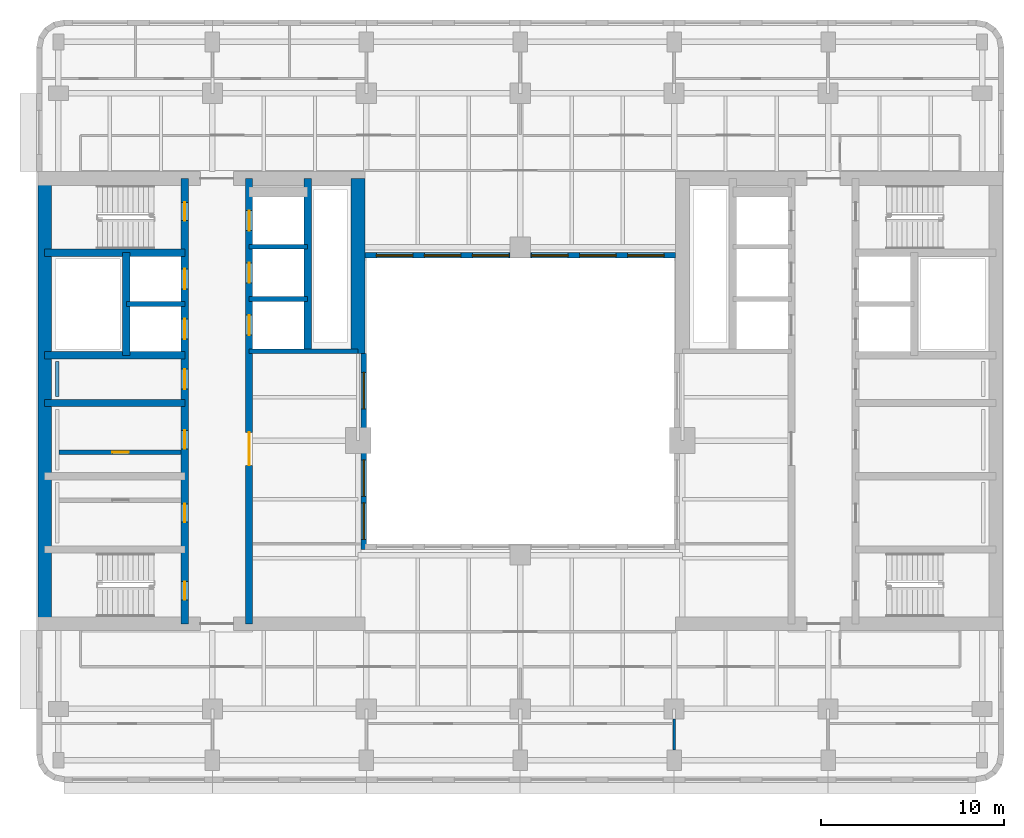
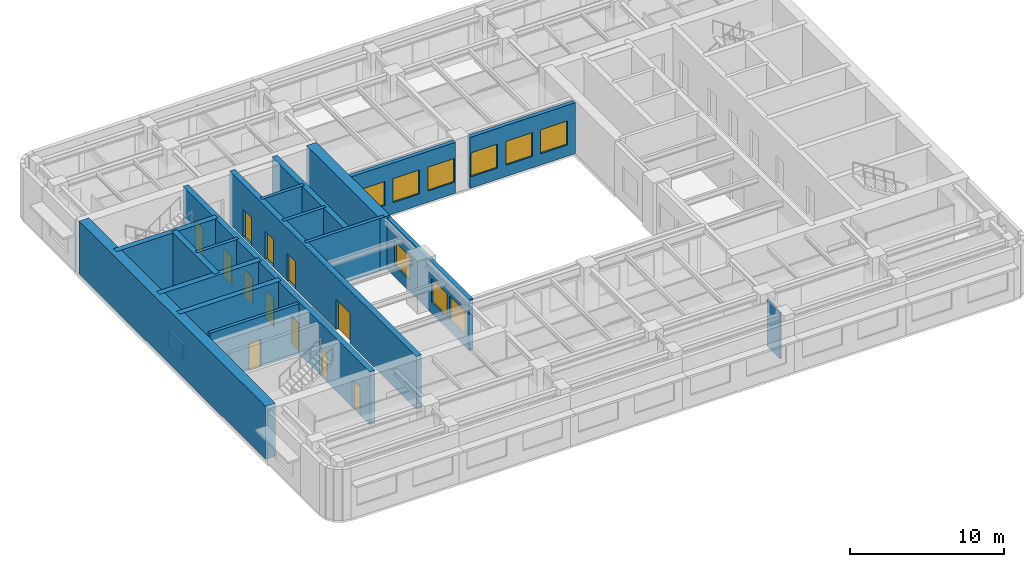
# One storey, part 4 of 11: 19 walls, 12 doors, 9 windows, 21 openings.
"""IFC4 building model written with IfcOpenShell, lengths in metres."""

from ifc_helpers import new_model, si_unit, direction, frame, frame_2d, origin, place, context, subcontext, project, spatial, rectangle, extrude, material, layer, layer_set, type_object, element, fill, save


model = new_model("IFC4")

# Units and contexts
model_context = context("Model", 3, precision=1e-05, world=origin(), true_north=direction((0.0, 1.0)))
body_context = subcontext(model_context, "Body", "Model", "MODEL_VIEW")
ifc_project = project(units=[si_unit("LENGTHUNIT", "METRE"), si_unit("AREAUNIT", "SQUARE_METRE"), si_unit("VOLUMEUNIT", "CUBIC_METRE"), si_unit("PLANEANGLEUNIT", "RADIAN"), si_unit("MASSUNIT", "GRAM", prefix="KILO")], contexts=[model_context])

# Site, building, storey
site_placement = place(None, origin())
site = spatial("IfcSite", under=ifc_project, at=site_placement, CompositionType="ELEMENT")
building_placement = place(site_placement, origin())
building = spatial("IfcBuilding", under=site, at=building_placement, Name="Claustro Exchange Tower", CompositionType="ELEMENT")
storey_placement = place(building_placement, frame((0.0, 0.0, 190.199951171875)))
storey = spatial("IfcBuildingStorey", under=building, at=storey_placement, Name="L43", CompositionType="ELEMENT", Elevation=190.199951171875)

# Wall
ifc_material_1 = material(Name="Laminated glass in aluminium frame", Category="aluminium")
ifc_layer_1 = layer(ifc_material_1, 0.1201171875)
ifc_layer_set_1 = layer_set([ifc_layer_1], Name="Laminated glass in aluminium frame")
wall_type_1 = type_object("IfcWallType", Name="P2 120 glazed partition", PredefinedType="PARTITIONING", material=ifc_layer_set_1)
wall_1_placement = place(storey_placement, frame((33.60009765625, 6.14892578125, 0.0), z_axis=(0.0, 0.0, 1.0), x_axis=(0.0, 1.0, 0.0)))
element("IfcWall", 1, at=wall_1_placement, inside=storey, type_object=wall_type_1, Name="Partition P2 L43", PredefinedType="PARTITIONING", context=body_context, shape_type="SweptSolid", body=[
    extrude(rectangle(XDim=1.703125, YDim=0.1201171875, at=frame_2d((0.8515625, 0.0))), origin(), (0.0, 0.0, 1.0), 3.68994140625),
])

# Wall, opening, door
ifc_material_2 = material(Name="Concrete blockwork, rendered", Category="masonry")
ifc_layer_2 = layer(ifc_material_2, 0.25)
ifc_layer_set_2 = layer_set([ifc_layer_2], Name="Concrete blockwork, rendered")
wall_type_2 = type_object("IfcWallType", Name="P4 250 blockwork wall", PredefinedType="PARTITIONING", material=ifc_layer_set_2)
wall_2_placement = place(storey_placement, frame((0.02490234375, 22.39990234375, 0.0), z_axis=(0.0, 0.0, 1.0), x_axis=(1.0, 0.0, 0.0)))
wall_2 = element("IfcWall", 2, at=wall_2_placement, inside=storey, type_object=wall_type_2, Name="Partition P4 L43", PredefinedType="PARTITIONING", context=body_context, shape_type="SweptSolid", body=[
    extrude(rectangle(XDim=6.675048828125, YDim=0.25, at=frame_2d((3.33740234375, 0.0))), origin(), (0.0, 0.0, 1.0), 4.0),
])
opening_1_placement = place(wall_2_placement, frame((2.91259765625, 0.0, 0.0)))
opening_1 = element("IfcOpeningElement", 3, at=opening_1_placement, cuts=wall_2, Name="Opening D5", PredefinedType="OPENING", context=body_context, shape_type="SweptSolid", body=[
    extrude(rectangle(XDim=0.89990234375, YDim=2.199951171875, at=frame_2d((0.449951171875, 1.10009765625))), frame((0.0, 0.135009765625, 0.0), z_axis=(0.0, -1.0, 0.0), x_axis=(1.0, 0.0, 0.0)), (0.0, 0.0, 1.0), 0.27001953125),
])
ifc_material_3 = material(Name="Steel door, painted", Category="steel")
door_type_1 = type_object("IfcDoorType", Name="D5 900 x 2200 store door", OperationType="SINGLE_SWING_LEFT", PredefinedType="DOOR", material=ifc_material_3)
door_1_placement = place(opening_1_placement, frame((0.89990234375, 0.0, 0.0), z_axis=(0.0, 0.0, 1.0), x_axis=(-1.0, 0.0, 0.0)))
door_1 = element("IfcDoor", 4, at=door_1_placement, inside=storey, type_object=door_type_1, Name="Store door D5 L43", OperationType="SINGLE_SWING_LEFT", OverallHeight=2.199951171875, OverallWidth=0.89990234375, PredefinedType="DOOR", context=body_context, shape_type="SweptSolid", body=[
    extrude(rectangle(XDim=0.89990234375, YDim=2.199951171875, at=frame_2d((0.449951171875, 1.10009765625))), frame((0.0, 0.02490234375, 0.0), z_axis=(0.0, -1.0, 0.0), x_axis=(1.0, 0.0, 0.0)), (0.0, 0.0, 1.0), 0.050048828125),
])
fill(opening_1, door_1)

# Wall, openings, windows
ifc_material_4 = material(Name="Concrete HA-40 (C40/50), precast, white cement, acid-etched", Category="concrete")
ifc_layer_3 = layer(ifc_material_4, 0.300048828125)
ifc_layer_set_3 = layer_set([ifc_layer_3], Name="Concrete HA-40 (C40/50), precast, white cement, acid-etched")
wall_type_3 = type_object("IfcWallType", Name="PC1 300 precast concrete pier panel", PredefinedType="SOLIDWALL", material=ifc_layer_set_3)
wall_3_placement = place(storey_placement, frame((16.64990234375, 17.10009765625, 0.0), z_axis=(0.0, 0.0, 1.0), x_axis=(0.0, 1.0, 0.0)))
wall_3 = element("IfcWall", 5, at=wall_3_placement, inside=storey, type_object=wall_type_3, Name="Precast pier panel PC1 L43", PredefinedType="SOLIDWALL", context=body_context, shape_type="SweptSolid", body=[
    extrude(rectangle(XDim=10.699951171875, YDim=0.300048828125, at=frame_2d((5.35009765625, 0.0))), origin(), (0.0, 0.0, 1.0), 4.050048828125),
])
opening_2_placement = place(wall_3_placement, frame((0.550048828125, 0.0, 0.89990234375)))
opening_2 = element("IfcOpeningElement", 6, at=opening_2_placement, cuts=wall_3, Name="Opening W4", PredefinedType="OPENING", context=body_context, shape_type="SweptSolid", body=[
    extrude(rectangle(XDim=2.0, YDim=1.89990234375, at=frame_2d((1.0, 0.949951171875))), frame((0.0, 0.159912109375, 0.0), z_axis=(0.0, -1.0, 0.0), x_axis=(1.0, 0.0, 0.0)), (0.0, 0.0, 1.0), 0.320068359375),
])
opening_3_placement = place(wall_3_placement, frame((2.89990234375, 0.0, 0.89990234375)))
opening_3 = element("IfcOpeningElement", 7, at=opening_3_placement, cuts=wall_3, Name="Opening W4", PredefinedType="OPENING", context=body_context, shape_type="SweptSolid", body=[
    extrude(rectangle(XDim=2.0, YDim=1.89990234375, at=frame_2d((1.0, 0.949951171875))), frame((0.0, 0.159912109375, 0.0), z_axis=(0.0, -1.0, 0.0), x_axis=(1.0, 0.0, 0.0)), (0.0, 0.0, 1.0), 0.320068359375),
])
opening_4_placement = place(wall_3_placement, frame((7.675048828125, 0.0, 0.89990234375)))
opening_4 = element("IfcOpeningElement", 8, at=opening_4_placement, cuts=wall_3, Name="Opening W4", PredefinedType="OPENING", context=body_context, shape_type="SweptSolid", body=[
    extrude(rectangle(XDim=2.0, YDim=1.89990234375, at=frame_2d((1.0, 0.949951171875))), frame((0.0, 0.159912109375, 0.0), z_axis=(0.0, -1.0, 0.0), x_axis=(1.0, 0.0, 0.0)), (0.0, 0.0, 1.0), 0.320068359375),
])
ifc_material_5 = material(Name="Aluminium frame, clear double glazing", Category="aluminium")
window_type = type_object("IfcWindowType", Name="W4 2000 x 1900 light well window", PartitioningType="SINGLE_PANEL", PredefinedType="WINDOW", material=ifc_material_5)
window_1_placement = place(opening_2_placement, origin())
window_1 = element("IfcWindow", 9, at=window_1_placement, inside=storey, type_object=window_type, Name="Window W4 L43", OverallHeight=1.89990234375, OverallWidth=2.0, PartitioningType="SINGLE_PANEL", PredefinedType="WINDOW", context=body_context, shape_type="SweptSolid", body=[
    extrude(rectangle(XDim=2.0, YDim=1.89990234375, at=frame_2d((1.0, 0.949951171875))), frame((0.0, 0.030029296875, 0.0), z_axis=(0.0, -1.0, 0.0), x_axis=(1.0, 0.0, 0.0)), (0.0, 0.0, 1.0), 0.06005859375),
])
fill(opening_2, window_1)
window_2_placement = place(opening_3_placement, origin())
window_2 = element("IfcWindow", 10, at=window_2_placement, inside=storey, type_object=window_type, Name="Window W4 L43", OverallHeight=1.89990234375, OverallWidth=2.0, PartitioningType="SINGLE_PANEL", PredefinedType="WINDOW", context=body_context, shape_type="SweptSolid", body=[
    extrude(rectangle(XDim=2.0, YDim=1.89990234375, at=frame_2d((1.0, 0.949951171875))), frame((0.0, 0.030029296875, 0.0), z_axis=(0.0, -1.0, 0.0), x_axis=(1.0, 0.0, 0.0)), (0.0, 0.0, 1.0), 0.06005859375),
])
fill(opening_3, window_2)
window_3_placement = place(opening_4_placement, origin())
window_3 = element("IfcWindow", 11, at=window_3_placement, inside=storey, type_object=window_type, Name="Window W4 L43", OverallHeight=1.89990234375, OverallWidth=2.0, PartitioningType="SINGLE_PANEL", PredefinedType="WINDOW", context=body_context, shape_type="SweptSolid", body=[
    extrude(rectangle(XDim=2.0, YDim=1.89990234375, at=frame_2d((1.0, 0.949951171875))), frame((0.0, 0.030029296875, 0.0), z_axis=(0.0, -1.0, 0.0), x_axis=(1.0, 0.0, 0.0)), (0.0, 0.0, 1.0), 0.06005859375),
])
fill(opening_4, window_3)

wall_4_placement = place(storey_placement, frame((16.72509765625, 33.14990234375, 0.0), z_axis=(0.0, 0.0, 1.0), x_axis=(1.0, 0.0, 0.0)))
wall_4 = element("IfcWall", 12, at=wall_4_placement, inside=storey, type_object=wall_type_3, Name="Precast pier panel PC1 L43", PredefinedType="SOLIDWALL", context=body_context, shape_type="SweptSolid", body=[
    extrude(rectangle(XDim=7.9248046875, YDim=0.300048828125, at=frame_2d((3.96240234375, 0.0))), origin(), (0.0, 0.0, 1.0), 4.050048828125),
])
opening_5_placement = place(wall_4_placement, frame((0.61865234375, 0.0, 0.89990234375)))
opening_5 = element("IfcOpeningElement", 13, at=opening_5_placement, cuts=wall_4, Name="Opening W4", PredefinedType="OPENING", context=body_context, shape_type="SweptSolid", body=[
    extrude(rectangle(XDim=2.0, YDim=1.89990234375, at=frame_2d((1.0, 0.949951171875))), frame((0.0, 0.159912109375, 0.0), z_axis=(0.0, -1.0, 0.0), x_axis=(1.0, 0.0, 0.0)), (0.0, 0.0, 1.0), 0.320068359375),
])
opening_6_placement = place(wall_4_placement, frame((3.237548828125, 0.0, 0.89990234375)))
opening_6 = element("IfcOpeningElement", 14, at=opening_6_placement, cuts=wall_4, Name="Opening W4", PredefinedType="OPENING", context=body_context, shape_type="SweptSolid", body=[
    extrude(rectangle(XDim=2.0, YDim=1.89990234375, at=frame_2d((1.0, 0.949951171875))), frame((0.0, 0.159912109375, 0.0), z_axis=(0.0, -1.0, 0.0), x_axis=(1.0, 0.0, 0.0)), (0.0, 0.0, 1.0), 0.320068359375),
])
opening_7_placement = place(wall_4_placement, frame((5.856201171875, 0.0, 0.89990234375)))
opening_7 = element("IfcOpeningElement", 15, at=opening_7_placement, cuts=wall_4, Name="Opening W4", PredefinedType="OPENING", context=body_context, shape_type="SweptSolid", body=[
    extrude(rectangle(XDim=2.0, YDim=1.89990234375, at=frame_2d((1.0, 0.949951171875))), frame((0.0, 0.159912109375, 0.0), z_axis=(0.0, -1.0, 0.0), x_axis=(1.0, 0.0, 0.0)), (0.0, 0.0, 1.0), 0.320068359375),
])
window_4_placement = place(opening_5_placement, origin())
window_4 = element("IfcWindow", 16, at=window_4_placement, inside=storey, type_object=window_type, Name="Window W4 L43", OverallHeight=1.89990234375, OverallWidth=2.0, PartitioningType="SINGLE_PANEL", PredefinedType="WINDOW", context=body_context, shape_type="SweptSolid", body=[
    extrude(rectangle(XDim=2.0, YDim=1.89990234375, at=frame_2d((1.0, 0.949951171875))), frame((0.0, 0.030029296875, 0.0), z_axis=(0.0, -1.0, 0.0), x_axis=(1.0, 0.0, 0.0)), (0.0, 0.0, 1.0), 0.06005859375),
])
fill(opening_5, window_4)
window_5_placement = place(opening_6_placement, origin())
window_5 = element("IfcWindow", 17, at=window_5_placement, inside=storey, type_object=window_type, Name="Window W4 L43", OverallHeight=1.89990234375, OverallWidth=2.0, PartitioningType="SINGLE_PANEL", PredefinedType="WINDOW", context=body_context, shape_type="SweptSolid", body=[
    extrude(rectangle(XDim=2.0, YDim=1.89990234375, at=frame_2d((1.0, 0.949951171875))), frame((0.0, 0.030029296875, 0.0), z_axis=(0.0, -1.0, 0.0), x_axis=(1.0, 0.0, 0.0)), (0.0, 0.0, 1.0), 0.06005859375),
])
fill(opening_6, window_5)
window_6_placement = place(opening_7_placement, origin())
window_6 = element("IfcWindow", 18, at=window_6_placement, inside=storey, type_object=window_type, Name="Window W4 L43", OverallHeight=1.89990234375, OverallWidth=2.0, PartitioningType="SINGLE_PANEL", PredefinedType="WINDOW", context=body_context, shape_type="SweptSolid", body=[
    extrude(rectangle(XDim=2.0, YDim=1.89990234375, at=frame_2d((1.0, 0.949951171875))), frame((0.0, 0.030029296875, 0.0), z_axis=(0.0, -1.0, 0.0), x_axis=(1.0, 0.0, 0.0)), (0.0, 0.0, 1.0), 0.06005859375),
])
fill(opening_7, window_6)

wall_5_placement = place(storey_placement, frame((25.75, 33.14990234375, 0.0), z_axis=(0.0, 0.0, 1.0), x_axis=(1.0, 0.0, 0.0)))
wall_5 = element("IfcWall", 19, at=wall_5_placement, inside=storey, type_object=wall_type_3, Name="Precast pier panel PC1 L43", PredefinedType="SOLIDWALL", context=body_context, shape_type="SweptSolid", body=[
    extrude(rectangle(XDim=7.925048828125, YDim=0.300048828125, at=frame_2d((3.96240234375, 0.0))), origin(), (0.0, 0.0, 1.0), 4.050048828125),
])
opening_8_placement = place(wall_5_placement, frame((0.068603515625, 0.0, 0.89990234375)))
opening_8 = element("IfcOpeningElement", 20, at=opening_8_placement, cuts=wall_5, Name="Opening W4", PredefinedType="OPENING", context=body_context, shape_type="SweptSolid", body=[
    extrude(rectangle(XDim=2.0, YDim=1.89990234375, at=frame_2d((1.0, 0.949951171875))), frame((0.0, 0.159912109375, 0.0), z_axis=(0.0, -1.0, 0.0), x_axis=(1.0, 0.0, 0.0)), (0.0, 0.0, 1.0), 0.320068359375),
])
opening_9_placement = place(wall_5_placement, frame((2.6875, 0.0, 0.89990234375)))
opening_9 = element("IfcOpeningElement", 21, at=opening_9_placement, cuts=wall_5, Name="Opening W4", PredefinedType="OPENING", context=body_context, shape_type="SweptSolid", body=[
    extrude(rectangle(XDim=2.0, YDim=1.89990234375, at=frame_2d((1.0, 0.949951171875))), frame((0.0, 0.159912109375, 0.0), z_axis=(0.0, -1.0, 0.0), x_axis=(1.0, 0.0, 0.0)), (0.0, 0.0, 1.0), 0.320068359375),
])
opening_10_placement = place(wall_5_placement, frame((5.30615234375, 0.0, 0.89990234375)))
opening_10 = element("IfcOpeningElement", 22, at=opening_10_placement, cuts=wall_5, Name="Opening W4", PredefinedType="OPENING", context=body_context, shape_type="SweptSolid", body=[
    extrude(rectangle(XDim=2.0, YDim=1.89990234375, at=frame_2d((1.0, 0.949951171875))), frame((0.0, 0.159912109375, 0.0), z_axis=(0.0, -1.0, 0.0), x_axis=(1.0, 0.0, 0.0)), (0.0, 0.0, 1.0), 0.320068359375),
])
window_7_placement = place(opening_8_placement, origin())
window_7 = element("IfcWindow", 23, at=window_7_placement, inside=storey, type_object=window_type, Name="Window W4 L43", OverallHeight=1.89990234375, OverallWidth=2.0, PartitioningType="SINGLE_PANEL", PredefinedType="WINDOW", context=body_context, shape_type="SweptSolid", body=[
    extrude(rectangle(XDim=2.0, YDim=1.89990234375, at=frame_2d((1.0, 0.949951171875))), frame((0.0, 0.030029296875, 0.0), z_axis=(0.0, -1.0, 0.0), x_axis=(1.0, 0.0, 0.0)), (0.0, 0.0, 1.0), 0.06005859375),
])
fill(opening_8, window_7)
window_8_placement = place(opening_9_placement, origin())
window_8 = element("IfcWindow", 24, at=window_8_placement, inside=storey, type_object=window_type, Name="Window W4 L43", OverallHeight=1.89990234375, OverallWidth=2.0, PartitioningType="SINGLE_PANEL", PredefinedType="WINDOW", context=body_context, shape_type="SweptSolid", body=[
    extrude(rectangle(XDim=2.0, YDim=1.89990234375, at=frame_2d((1.0, 0.949951171875))), frame((0.0, 0.030029296875, 0.0), z_axis=(0.0, -1.0, 0.0), x_axis=(1.0, 0.0, 0.0)), (0.0, 0.0, 1.0), 0.06005859375),
])
fill(opening_9, window_8)
window_9_placement = place(opening_10_placement, origin())
window_9 = element("IfcWindow", 25, at=window_9_placement, inside=storey, type_object=window_type, Name="Window W4 L43", OverallHeight=1.89990234375, OverallWidth=2.0, PartitioningType="SINGLE_PANEL", PredefinedType="WINDOW", context=body_context, shape_type="SweptSolid", body=[
    extrude(rectangle(XDim=2.0, YDim=1.89990234375, at=frame_2d((1.0, 0.949951171875))), frame((0.0, 0.030029296875, 0.0), z_axis=(0.0, -1.0, 0.0), x_axis=(1.0, 0.0, 0.0)), (0.0, 0.0, 1.0), 0.06005859375),
])
fill(opening_10, window_9)

# Walls
ifc_material_6 = material(Name="Gypsum board on steel studs, tiled", Category="steel")
ifc_layer_4 = layer(ifc_material_6, 0.199951171875)
ifc_layer_set_4 = layer_set([ifc_layer_4], Name="Gypsum board on steel studs, tiled")
wall_type_4 = type_object("IfcWallType", Name="PW1 200 WC duct wall", PredefinedType="PLUMBINGWALL", material=ifc_layer_set_4)
wall_6_placement = place(storey_placement, frame((-0.074951171875, 25.449951171875, 0.0), z_axis=(0.0, 0.0, 1.0), x_axis=(0.0, 1.0, 0.0)))
element("IfcWall", 26, at=wall_6_placement, inside=storey, type_object=wall_type_4, Name="WC duct wall PW1 L43", PredefinedType="PLUMBINGWALL", context=body_context, shape_type="SweptSolid", body=[
    extrude(rectangle(XDim=1.900146484375, YDim=0.199951171875, at=frame_2d((0.9501953125, 0.0))), origin(), (0.0, 0.0, 1.0), 1.199951171875),
])
ifc_material_7 = material(Name="Concrete HA-70 (C70/85)", Category="concrete")
ifc_layer_5 = layer(ifc_material_7, 0.75)
ifc_layer_set_5 = layer_set([ifc_layer_5], Name="Concrete HA-70 (C70/85)")
wall_type_5 = type_object("IfcWallType", Name="SW2X 750 exposed core shear wall, board-marked face", PredefinedType="SHEAR", material=ifc_layer_set_5)
wall_7_placement = place(storey_placement, frame((-0.75, 13.050048828125, 0.0), z_axis=(0.0, 0.0, 1.0), x_axis=(0.0, 1.0, 0.0)))
element("IfcWall", 27, at=wall_7_placement, inside=storey, type_object=wall_type_5, Name="Core wall SW2X W core W face L43", PredefinedType="SHEAR", context=body_context, shape_type="SweptSolid", body=[
    extrude(rectangle(XDim=24.300048828125, YDim=0.75, at=frame_2d((12.14990234375, 0.0))), origin(), (0.0, 0.0, 1.0), 4.199951171875),
])
wall_8_placement = place(storey_placement, frame((16.35009765625, 27.800048828125, 0.0), z_axis=(0.0, 0.0, 1.0), x_axis=(0.0, 1.0, 0.0)))
element("IfcWall", 28, at=wall_8_placement, inside=storey, type_object=wall_type_5, Name="Core wall SW2X W core E face L43", PredefinedType="SHEAR", context=body_context, shape_type="SweptSolid", body=[
    extrude(rectangle(XDim=9.550048828125, YDim=0.75, at=frame_2d((4.77490234375, 0.0))), origin(), (0.0, 0.0, 1.0), 4.199951171875),
])

# Wall, openings, doors
ifc_material_8 = material(Name="Concrete HA-50 (C50/60)", Category="concrete")
ifc_layer_6 = layer(ifc_material_8, 0.39990234375)
ifc_layer_set_6 = layer_set([ifc_layer_6], Name="Concrete HA-50 (C50/60)")
wall_type_6 = type_object("IfcWallType", Name="SW4 400 internal core wall", PredefinedType="SHEAR", material=ifc_layer_set_6)
wall_9_placement = place(storey_placement, frame((6.89990234375, 13.050048828125, 0.0), z_axis=(0.0, 0.0, 1.0), x_axis=(0.0, 1.0, 0.0)))
wall_9 = element("IfcWall", 29, at=wall_9_placement, inside=storey, type_object=wall_type_6, Name="Internal core wall SW4 W core L43", PredefinedType="SHEAR", context=body_context, shape_type="SweptSolid", body=[
    extrude(rectangle(XDim=24.300048828125, YDim=0.39990234375, at=frame_2d((12.14990234375, 0.0))), origin(), (0.0, 0.0, 1.0), 4.199951171875),
])
opening_11_placement = place(wall_9_placement, frame((1.300048828125, 0.0, 0.0)))
opening_11 = element("IfcOpeningElement", 30, at=opening_11_placement, cuts=wall_9, Name="Opening D4", PredefinedType="OPENING", context=body_context, shape_type="SweptSolid", body=[
    extrude(rectangle(XDim=1.0, YDim=2.199951171875, at=frame_2d((0.5, 1.10009765625))), frame((0.0, 0.2099609375, 0.0), z_axis=(0.0, -1.0, 0.0), x_axis=(1.0, 0.0, 0.0)), (0.0, 0.0, 1.0), 0.419921875),
])
opening_12_placement = place(wall_9_placement, frame((22.0, 0.0, 0.0)))
opening_12 = element("IfcOpeningElement", 31, at=opening_12_placement, cuts=wall_9, Name="Opening D4", PredefinedType="OPENING", context=body_context, shape_type="SweptSolid", body=[
    extrude(rectangle(XDim=1.0, YDim=2.199951171875, at=frame_2d((0.5, 1.10009765625))), frame((0.0, 0.2099609375, 0.0), z_axis=(0.0, -1.0, 0.0), x_axis=(1.0, 0.0, 0.0)), (0.0, 0.0, 1.0), 0.419921875),
])
opening_13_placement = place(wall_9_placement, frame((5.550048828125, 0.0, 0.0)))
opening_13 = element("IfcOpeningElement", 32, at=opening_13_placement, cuts=wall_9, Name="Opening D1", PredefinedType="OPENING", context=body_context, shape_type="SweptSolid", body=[
    extrude(rectangle(XDim=1.0, YDim=2.199951171875, at=frame_2d((0.5, 1.10009765625))), frame((0.0, 0.2099609375, 0.0), z_axis=(0.0, -1.0, 0.0), x_axis=(1.0, 0.0, 0.0)), (0.0, 0.0, 1.0), 0.419921875),
])
opening_14_placement = place(wall_9_placement, frame((9.550048828125, 0.0, 0.0)))
opening_14 = element("IfcOpeningElement", 33, at=opening_14_placement, cuts=wall_9, Name="Opening D1", PredefinedType="OPENING", context=body_context, shape_type="SweptSolid", body=[
    extrude(rectangle(XDim=1.0, YDim=2.199951171875, at=frame_2d((0.5, 1.10009765625))), frame((0.0, 0.2099609375, 0.0), z_axis=(0.0, -1.0, 0.0), x_axis=(1.0, 0.0, 0.0)), (0.0, 0.0, 1.0), 0.419921875),
])
opening_15_placement = place(wall_9_placement, frame((12.800048828125, 0.0, 0.0)))
opening_15 = element("IfcOpeningElement", 34, at=opening_15_placement, cuts=wall_9, Name="Opening D10", PredefinedType="OPENING", context=body_context, shape_type="SweptSolid", body=[
    extrude(rectangle(XDim=1.10009765625, YDim=2.199951171875, at=frame_2d((0.550048828125, 1.10009765625))), frame((0.0, 0.2099609375, 0.0), z_axis=(0.0, -1.0, 0.0), x_axis=(1.0, 0.0, 0.0)), (0.0, 0.0, 1.0), 0.419921875),
])
opening_16_placement = place(wall_9_placement, frame((15.53759765625, 0.0, 0.0)))
opening_16 = element("IfcOpeningElement", 35, at=opening_16_placement, cuts=wall_9, Name="Opening LD", PredefinedType="OPENING", context=body_context, shape_type="SweptSolid", body=[
    extrude(rectangle(XDim=1.10009765625, YDim=2.199951171875, at=frame_2d((0.550048828125, 1.10009765625))), frame((0.0, 0.2099609375, 0.0), z_axis=(0.0, -1.0, 0.0), x_axis=(1.0, 0.0, 0.0)), (0.0, 0.0, 1.0), 0.419921875),
])
opening_17_placement = place(wall_9_placement, frame((18.262451171875, 0.0, 0.0)))
opening_17 = element("IfcOpeningElement", 36, at=opening_17_placement, cuts=wall_9, Name="Opening LD", PredefinedType="OPENING", context=body_context, shape_type="SweptSolid", body=[
    extrude(rectangle(XDim=1.10009765625, YDim=2.199951171875, at=frame_2d((0.550048828125, 1.10009765625))), frame((0.0, 0.2099609375, 0.0), z_axis=(0.0, -1.0, 0.0), x_axis=(1.0, 0.0, 0.0)), (0.0, 0.0, 1.0), 0.419921875),
])
ifc_material_9 = material(Name="Timber door, oak veneer", Category="wood")
door_type_2 = type_object("IfcDoorType", Name="D1 1000 x 2200 single door", OperationType="SINGLE_SWING_LEFT", PredefinedType="DOOR", material=ifc_material_9)
door_2_placement = place(opening_13_placement, origin())
door_2 = element("IfcDoor", 37, at=door_2_placement, inside=storey, type_object=door_type_2, Name="Door D1 L43", OperationType="SINGLE_SWING_RIGHT", OverallHeight=2.199951171875, OverallWidth=1.0, PredefinedType="DOOR", context=body_context, shape_type="SweptSolid", body=[
    extrude(rectangle(XDim=1.0, YDim=2.199951171875, at=frame_2d((0.5, 1.10009765625))), frame((0.0, 0.02490234375, 0.0), z_axis=(0.0, -1.0, 0.0), x_axis=(1.0, 0.0, 0.0)), (0.0, 0.0, 1.0), 0.050048828125),
])
fill(opening_13, door_2)
door_3_placement = place(opening_14_placement, origin())
door_3 = element("IfcDoor", 38, at=door_3_placement, inside=storey, type_object=door_type_2, Name="Door D1 L43", OperationType="SINGLE_SWING_LEFT", OverallHeight=2.199951171875, OverallWidth=1.0, PredefinedType="DOOR", context=body_context, shape_type="SweptSolid", body=[
    extrude(rectangle(XDim=1.0, YDim=2.199951171875, at=frame_2d((0.5, 1.10009765625))), frame((0.0, 0.02490234375, 0.0), z_axis=(0.0, -1.0, 0.0), x_axis=(1.0, 0.0, 0.0)), (0.0, 0.0, 1.0), 0.050048828125),
])
fill(opening_14, door_3)
ifc_material_10 = material(Name="Timber door, oak veneer", Category="wood")
door_type_3 = type_object("IfcDoorType", Name="D10 1100 x 2200 accessible WC door", OperationType="SINGLE_SWING_LEFT", PredefinedType="DOOR", material=ifc_material_10)
door_4_placement = place(opening_15_placement, frame((1.10009765625, 0.0, 0.0), z_axis=(0.0, 0.0, 1.0), x_axis=(-1.0, 0.0, 0.0)))
door_4 = element("IfcDoor", 39, at=door_4_placement, inside=storey, type_object=door_type_3, Name="Accessible WC door D10 L43", OperationType="SINGLE_SWING_LEFT", OverallHeight=2.199951171875, OverallWidth=1.10009765625, PredefinedType="DOOR", context=body_context, shape_type="SweptSolid", body=[
    extrude(rectangle(XDim=1.10009765625, YDim=2.199951171875, at=frame_2d((0.550048828125, 1.10009765625))), frame((0.0, 0.02490234375, 0.0), z_axis=(0.0, -1.0, 0.0), x_axis=(1.0, 0.0, 0.0)), (0.0, 0.0, 1.0), 0.050048828125),
])
fill(opening_15, door_4)
ifc_material_11 = material(Name="Steel fire door, painted", Category="steel")
door_type_4 = type_object("IfcDoorType", Name="D4 1000 x 2200 fire-rated stair door", OperationType="SINGLE_SWING_LEFT", PredefinedType="DOOR", material=ifc_material_11)
door_5_placement = place(opening_11_placement, origin())
door_5 = element("IfcDoor", 40, at=door_5_placement, inside=storey, type_object=door_type_4, Name="Stair door D4 L43", OperationType="SINGLE_SWING_LEFT", OverallHeight=2.199951171875, OverallWidth=1.0, PredefinedType="DOOR", context=body_context, shape_type="SweptSolid", body=[
    extrude(rectangle(XDim=1.0, YDim=2.199951171875, at=frame_2d((0.5, 1.10009765625))), frame((0.0, 0.02490234375, 0.0), z_axis=(0.0, -1.0, 0.0), x_axis=(1.0, 0.0, 0.0)), (0.0, 0.0, 1.0), 0.050048828125),
])
fill(opening_11, door_5)
door_6_placement = place(opening_12_placement, origin())
door_6 = element("IfcDoor", 41, at=door_6_placement, inside=storey, type_object=door_type_4, Name="Stair door D4 L43", OperationType="SINGLE_SWING_RIGHT", OverallHeight=2.199951171875, OverallWidth=1.0, PredefinedType="DOOR", context=body_context, shape_type="SweptSolid", body=[
    extrude(rectangle(XDim=1.0, YDim=2.199951171875, at=frame_2d((0.5, 1.10009765625))), frame((0.0, 0.02490234375, 0.0), z_axis=(0.0, -1.0, 0.0), x_axis=(1.0, 0.0, 0.0)), (0.0, 0.0, 1.0), 0.050048828125),
])
fill(opening_12, door_6)
ifc_material_12 = material(Name="Stainless steel sliding door", Category="steel")
door_type_5 = type_object("IfcDoorType", Name="LD 1100 x 2200 lift landing door", OperationType="DOUBLE_DOOR_SLIDING", PredefinedType="DOOR", material=ifc_material_12)
door_7_placement = place(opening_16_placement, origin())
door_7 = element("IfcDoor", 42, at=door_7_placement, inside=storey, type_object=door_type_5, Name="Lift landing door LEW1 LD L43", OperationType="DOUBLE_DOOR_SLIDING", OverallHeight=2.199951171875, OverallWidth=1.10009765625, PredefinedType="DOOR", context=body_context, shape_type="SweptSolid", body=[
    extrude(rectangle(XDim=1.10009765625, YDim=2.199951171875, at=frame_2d((0.550048828125, 1.10009765625))), frame((0.0, 0.02490234375, 0.0), z_axis=(0.0, -1.0, 0.0), x_axis=(1.0, 0.0, 0.0)), (0.0, 0.0, 1.0), 0.050048828125),
])
fill(opening_16, door_7)
door_8_placement = place(opening_17_placement, origin())
door_8 = element("IfcDoor", 43, at=door_8_placement, inside=storey, type_object=door_type_5, Name="Lift landing door LEW2 LD L43", OperationType="DOUBLE_DOOR_SLIDING", OverallHeight=2.199951171875, OverallWidth=1.10009765625, PredefinedType="DOOR", context=body_context, shape_type="SweptSolid", body=[
    extrude(rectangle(XDim=1.10009765625, YDim=2.199951171875, at=frame_2d((0.550048828125, 1.10009765625))), frame((0.0, 0.02490234375, 0.0), z_axis=(0.0, -1.0, 0.0), x_axis=(1.0, 0.0, 0.0)), (0.0, 0.0, 1.0), 0.050048828125),
])
fill(opening_17, door_8)

wall_10_placement = place(storey_placement, frame((10.39990234375, 13.050048828125, 0.0), z_axis=(0.0, 0.0, 1.0), x_axis=(0.0, 1.0, 0.0)))
wall_10 = element("IfcWall", 44, at=wall_10_placement, inside=storey, type_object=wall_type_6, Name="Internal core wall SW4 W core L43", PredefinedType="SHEAR", context=body_context, shape_type="SweptSolid", body=[
    extrude(rectangle(XDim=24.300048828125, YDim=0.39990234375, at=frame_2d((12.14990234375, 0.0))), origin(), (0.0, 0.0, 1.0), 4.199951171875),
])
opening_18_placement = place(wall_10_placement, frame((15.75, 0.0, 0.0)))
opening_18 = element("IfcOpeningElement", 45, at=opening_18_placement, cuts=wall_10, Name="Opening LD", PredefinedType="OPENING", context=body_context, shape_type="SweptSolid", body=[
    extrude(rectangle(XDim=1.10009765625, YDim=2.199951171875, at=frame_2d((0.550048828125, 1.10009765625))), frame((0.0, 0.2099609375, 0.0), z_axis=(0.0, -1.0, 0.0), x_axis=(1.0, 0.0, 0.0)), (0.0, 0.0, 1.0), 0.419921875),
])
opening_19_placement = place(wall_10_placement, frame((18.60009765625, 0.0, 0.0)))
opening_19 = element("IfcOpeningElement", 46, at=opening_19_placement, cuts=wall_10, Name="Opening LD", PredefinedType="OPENING", context=body_context, shape_type="SweptSolid", body=[
    extrude(rectangle(XDim=1.10009765625, YDim=2.199951171875, at=frame_2d((0.550048828125, 1.10009765625))), frame((0.0, 0.2099609375, 0.0), z_axis=(0.0, -1.0, 0.0), x_axis=(1.0, 0.0, 0.0)), (0.0, 0.0, 1.0), 0.419921875),
])
opening_20_placement = place(wall_10_placement, frame((21.449951171875, 0.0, 0.0)))
opening_20 = element("IfcOpeningElement", 47, at=opening_20_placement, cuts=wall_10, Name="Opening LD", PredefinedType="OPENING", context=body_context, shape_type="SweptSolid", body=[
    extrude(rectangle(XDim=1.10009765625, YDim=2.199951171875, at=frame_2d((0.550048828125, 1.10009765625))), frame((0.0, 0.2099609375, 0.0), z_axis=(0.0, -1.0, 0.0), x_axis=(1.0, 0.0, 0.0)), (0.0, 0.0, 1.0), 0.419921875),
])
opening_21_placement = place(wall_10_placement, frame((8.64990234375, 0.0, 0.0)))
opening_21 = element("IfcOpeningElement", 48, at=opening_21_placement, cuts=wall_10, Name="Opening D3", PredefinedType="OPENING", context=body_context, shape_type="SweptSolid", body=[
    extrude(rectangle(XDim=1.800048828125, YDim=2.39990234375, at=frame_2d((0.89990234375, 1.199951171875))), frame((0.0, 0.2099609375, 0.0), z_axis=(0.0, -1.0, 0.0), x_axis=(1.0, 0.0, 0.0)), (0.0, 0.0, 1.0), 0.419921875),
])
ifc_material_13 = material(Name="Steel fire door, painted", Category="steel")
door_type_6 = type_object("IfcDoorType", Name="D3 1800 x 2400 fire-rated lobby double door", OperationType="DOUBLE_DOOR_SINGLE_SWING", PredefinedType="DOOR", material=ifc_material_13)
door_9_placement = place(opening_21_placement, frame((1.800048828125, 0.0, 0.0), z_axis=(0.0, 0.0, 1.0), x_axis=(-1.0, 0.0, 0.0)))
door_9 = element("IfcDoor", 49, at=door_9_placement, inside=storey, type_object=door_type_6, Name="Core zone door D3 L43", OperationType="DOUBLE_DOOR_SINGLE_SWING", OverallHeight=2.39990234375, OverallWidth=1.800048828125, PredefinedType="DOOR", context=body_context, shape_type="SweptSolid", body=[
    extrude(rectangle(XDim=1.800048828125, YDim=2.39990234375, at=frame_2d((0.89990234375, 1.199951171875))), frame((0.0, 0.02490234375, 0.0), z_axis=(0.0, -1.0, 0.0), x_axis=(1.0, 0.0, 0.0)), (0.0, 0.0, 1.0), 0.050048828125),
])
fill(opening_21, door_9)
door_10_placement = place(opening_18_placement, origin())
door_10 = element("IfcDoor", 50, at=door_10_placement, inside=storey, type_object=door_type_5, Name="Lift landing door LHW1 LD L43", OperationType="DOUBLE_DOOR_SLIDING", OverallHeight=2.199951171875, OverallWidth=1.10009765625, PredefinedType="DOOR", context=body_context, shape_type="SweptSolid", body=[
    extrude(rectangle(XDim=1.10009765625, YDim=2.199951171875, at=frame_2d((0.550048828125, 1.10009765625))), frame((0.0, 0.02490234375, 0.0), z_axis=(0.0, -1.0, 0.0), x_axis=(1.0, 0.0, 0.0)), (0.0, 0.0, 1.0), 0.050048828125),
])
fill(opening_18, door_10)
door_11_placement = place(opening_19_placement, origin())
door_11 = element("IfcDoor", 51, at=door_11_placement, inside=storey, type_object=door_type_5, Name="Lift landing door LHW2 LD L43", OperationType="DOUBLE_DOOR_SLIDING", OverallHeight=2.199951171875, OverallWidth=1.10009765625, PredefinedType="DOOR", context=body_context, shape_type="SweptSolid", body=[
    extrude(rectangle(XDim=1.10009765625, YDim=2.199951171875, at=frame_2d((0.550048828125, 1.10009765625))), frame((0.0, 0.02490234375, 0.0), z_axis=(0.0, -1.0, 0.0), x_axis=(1.0, 0.0, 0.0)), (0.0, 0.0, 1.0), 0.050048828125),
])
fill(opening_19, door_11)
door_12_placement = place(opening_20_placement, origin())
door_12 = element("IfcDoor", 52, at=door_12_placement, inside=storey, type_object=door_type_5, Name="Lift landing door LSW1 LD L43", OperationType="DOUBLE_DOOR_SLIDING", OverallHeight=2.199951171875, OverallWidth=1.10009765625, PredefinedType="DOOR", context=body_context, shape_type="SweptSolid", body=[
    extrude(rectangle(XDim=1.10009765625, YDim=2.199951171875, at=frame_2d((0.550048828125, 1.10009765625))), frame((0.0, 0.02490234375, 0.0), z_axis=(0.0, -1.0, 0.0), x_axis=(1.0, 0.0, 0.0)), (0.0, 0.0, 1.0), 0.050048828125),
])
fill(opening_20, door_12)

# Walls
wall_11_placement = place(storey_placement, frame((13.60009765625, 27.925048828125, 0.0), z_axis=(0.0, 0.0, 1.0), x_axis=(0.0, 1.0, 0.0)))
element("IfcWall", 53, at=wall_11_placement, inside=storey, type_object=wall_type_6, Name="Internal core wall SW4 W core L43", PredefinedType="SHEAR", context=body_context, shape_type="SweptSolid", body=[
    extrude(rectangle(XDim=9.425048828125, YDim=0.39990234375, at=frame_2d((4.71240234375, 0.0))), origin(), (0.0, 0.0, 1.0), 4.199951171875),
])
for number, where, z_axis, x_axis, name in (
    (54, (-0.75, 25.10009765625, 0.0), (0.0, 0.0, 1.0), (1.0, 0.0, 0.0), "Internal core wall SW4 W core L43"),
    (55, (-0.75, 27.699951171875, 0.0), (0.0, 0.0, 1.0), (1.0, 0.0, 0.0), "Internal core wall SW4 W core L43"),
    (56, (-0.75, 33.300048828125, 0.0), (0.0, 0.0, 1.0), (1.0, 0.0, 0.0), "Internal core wall SW4 W core L43"),
):
    element("IfcWall", number, at=place(storey_placement, frame(where, z_axis=z_axis, x_axis=x_axis)), inside=storey, type_object=wall_type_6, Name=name, PredefinedType="SHEAR", context=body_context, shape_type="SweptSolid", body=[
        extrude(rectangle(XDim=7.64990234375, YDim=0.39990234375, at=frame_2d((3.824951171875, 0.0))), origin(), (0.0, 0.0, 1.0), 4.199951171875),
    ])
wall_12_placement = place(storey_placement, frame((3.699951171875, 27.699951171875, 0.0), z_axis=(0.0, 0.0, 1.0), x_axis=(0.0, 1.0, 0.0)))
element("IfcWall", 57, at=wall_12_placement, inside=storey, type_object=wall_type_6, Name="Internal core wall SW4 W core L43", PredefinedType="SHEAR", context=body_context, shape_type="SweptSolid", body=[
    extrude(rectangle(XDim=5.60009765625, YDim=0.39990234375, at=frame_2d((2.800048828125, 0.0))), origin(), (0.0, 0.0, 1.0), 4.199951171875),
])
ifc_material_14 = material(Name="Concrete HA-50 (C50/60)", Category="concrete")
ifc_layer_7 = layer(ifc_material_14, 0.25)
ifc_layer_set_7 = layer_set([ifc_layer_7], Name="Concrete HA-50 (C50/60)")
wall_type_7 = type_object("IfcWallType", Name="SW5 250 lift shaft divider wall", PredefinedType="SHEAR", material=ifc_layer_set_7)
wall_13_placement = place(storey_placement, frame((3.699951171875, 30.5, 0.0), z_axis=(0.0, 0.0, 1.0), x_axis=(1.0, 0.0, 0.0)))
element("IfcWall", 58, at=wall_13_placement, inside=storey, type_object=wall_type_7, Name="Lift shaft wall W core L43", PredefinedType="SHEAR", context=body_context, shape_type="SweptSolid", body=[
    extrude(rectangle(XDim=3.199951171875, YDim=0.25, at=frame_2d((1.60009765625, 0.0))), origin(), (0.0, 0.0, 1.0), 4.199951171875),
])
wall_14_placement = place(storey_placement, frame((10.39990234375, 27.925048828125, 0.0), z_axis=(0.0, 0.0, 1.0), x_axis=(1.0, 0.0, 0.0)))
element("IfcWall", 59, at=wall_14_placement, inside=storey, type_object=wall_type_7, Name="Core step wall W core L43", PredefinedType="SHEAR", context=body_context, shape_type="SweptSolid", body=[
    extrude(rectangle(XDim=5.9501953125, YDim=0.25, at=frame_2d((2.97509765625, 0.0))), origin(), (0.0, 0.0, 1.0), 4.199951171875),
])
for number, where, z_axis, x_axis, name in (
    (60, (10.39990234375, 30.77490234375, 0.0), (0.0, 0.0, 1.0), (1.0, 0.0, 0.0), "Lift shaft wall W core L43"),
    (61, (10.39990234375, 33.625, 0.0), (0.0, 0.0, 1.0), (1.0, 0.0, 0.0), "Lift shaft wall W core L43"),
):
    element("IfcWall", number, at=place(storey_placement, frame(where, z_axis=z_axis, x_axis=x_axis)), inside=storey, type_object=wall_type_7, Name=name, PredefinedType="SHEAR", context=body_context, shape_type="SweptSolid", body=[
        extrude(rectangle(XDim=3.2001953125, YDim=0.25, at=frame_2d((1.60009765625, 0.0))), origin(), (0.0, 0.0, 1.0), 4.199951171875),
    ])

save(model, "model.ifc")
